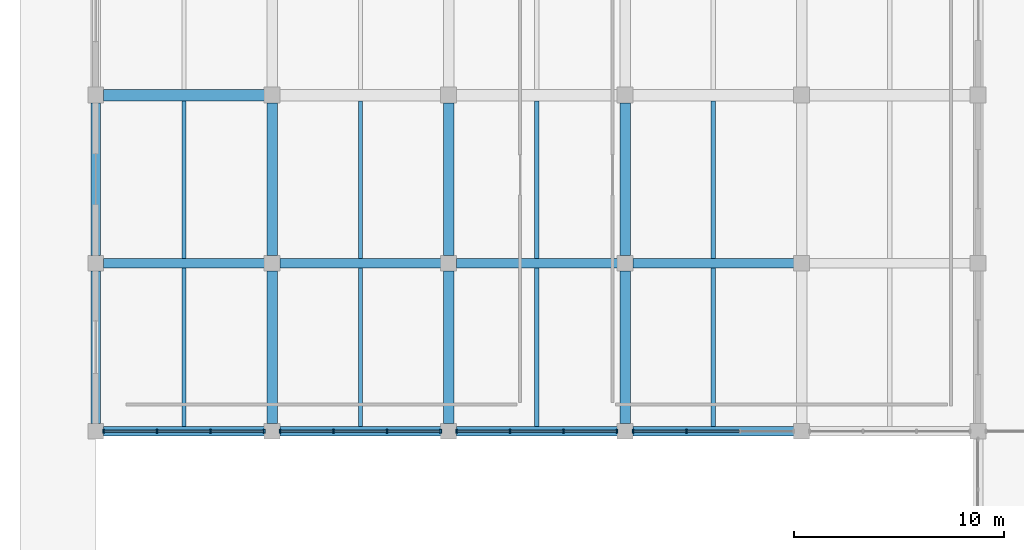
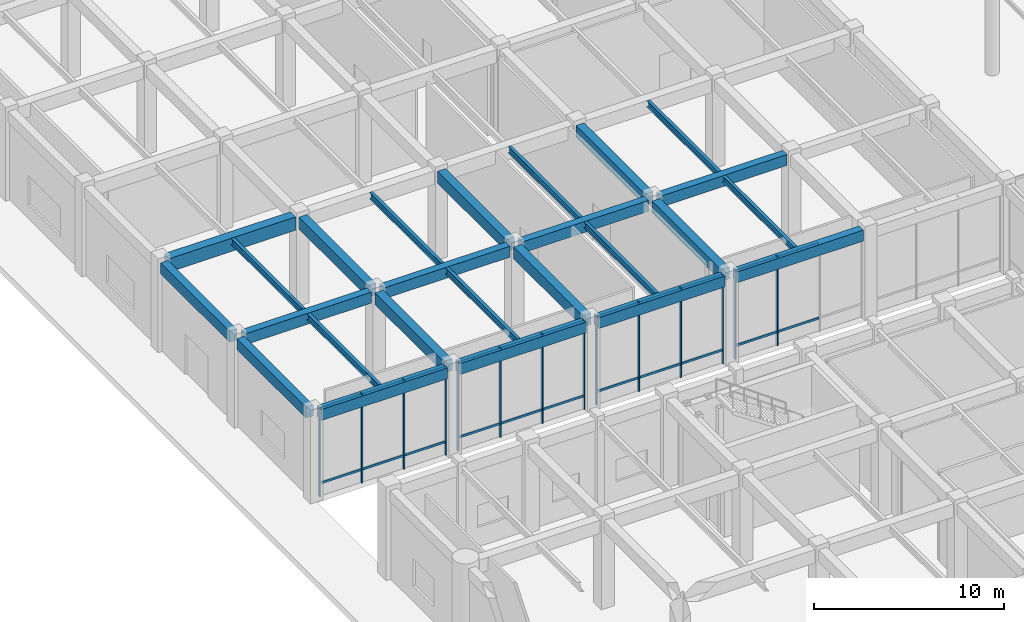
# One storey, part 28 of 76: 36 members, 25 beams, 4 elements without a shape of their own.
"""IFC4 building model written with IfcOpenShell, lengths in metres."""

from ifc_helpers import new_model, si_unit, direction, frame, origin, origin_2d, place, context, subcontext, project, spatial, rectangle, i_section, extrude, material, layer, layer_set, material_profile, profile_set, type_object, element, aggregate, save


model = new_model("IFC4")

# Units and contexts
model_context = context("Model", 3, precision=1e-05, world=origin(), true_north=direction((0.0, 1.0)))
body_context = subcontext(model_context, "Body", "Model", "MODEL_VIEW")
ifc_project = project(units=[si_unit("LENGTHUNIT", "METRE"), si_unit("AREAUNIT", "SQUARE_METRE"), si_unit("VOLUMEUNIT", "CUBIC_METRE"), si_unit("PLANEANGLEUNIT", "RADIAN"), si_unit("MASSUNIT", "GRAM", prefix="KILO")], contexts=[model_context])

# Site, building, storey
site_placement = place(None, origin())
site = spatial("IfcSite", under=ifc_project, at=site_placement, CompositionType="ELEMENT")
building_placement = place(site_placement, origin())
building = spatial("IfcBuilding", under=site, at=building_placement, Name="Naruveol Harbour Congress Hotel", CompositionType="ELEMENT")
storey_placement = place(building_placement, origin())
storey = spatial("IfcBuildingStorey", under=building, at=storey_placement, Name="L00", CompositionType="ELEMENT", Elevation=0.0)

# Beams
ifc_material_1 = material(Name="Concrete C40/50", Category="concrete")
ifc_material_profile_1 = material_profile(ifc_material_1, rectangle(XDim=0.5, YDim=0.75, at=origin_2d()), Name="RCB-500x750")
ifc_profile_set_1 = profile_set([ifc_material_profile_1], Name="Concrete C40/50")
beam_type_1 = type_object("IfcBeamType", Name="RC FLOOR GIRDER 500X750", PredefinedType="BEAM", material=ifc_profile_set_1)
for number, where, z_axis, x_axis, name in (
    (1, (8.39990234375, 64.37109375, 5.324951171875), (0.0, 1.0, 0.0), (-1.0, 0.0, 0.0), "Transverse girder L01 CB3"),
    (2, (8.39990234375, 72.37109375, 5.324951171875), (0.0, 1.0, 0.0), (-1.0, 0.0, 0.0), "Transverse girder L01 CB3"),
    (3, (16.800048828125, 64.37109375, 5.324951171875), (0.0, 1.0, 0.0), (-1.0, 0.0, 0.0), "Transverse girder L01 CB3"),
    (4, (16.800048828125, 72.37109375, 5.324951171875), (0.0, 1.0, 0.0), (-1.0, 0.0, 0.0), "Transverse girder L01 CB3"),
    (5, (25.199951171875, 64.37109375, 5.324951171875), (0.0, 1.0, 0.0), (-1.0, 0.0, 0.0), "Transverse girder L01 CB3"),
    (6, (25.199951171875, 72.37109375, 5.324951171875), (0.0, 1.0, 0.0), (-1.0, 0.0, 0.0), "Transverse girder L01 CB3"),
):
    element("IfcBeam", number, at=place(storey_placement, frame(where, z_axis=z_axis, x_axis=x_axis)), inside=storey, type_object=beam_type_1, Name=name, PredefinedType="BEAM", context=body_context, shape_type="SweptSolid", body=[
        extrude(rectangle(XDim=0.5, YDim=0.75, at=origin_2d()), origin(), (0.0, 0.0, 1.0), 7.2578125),
    ])
ifc_material_2 = material(Name="Concrete C40/50", Category="concrete")
ifc_material_profile_2 = material_profile(ifc_material_2, rectangle(XDim=0.550048828125, YDim=0.85009765625, at=origin_2d()), Name="RCB-550x850")
ifc_profile_set_2 = profile_set([ifc_material_profile_2], Name="Concrete C40/50")
beam_type_2 = type_object("IfcBeamType", Name="RC PRIMARY GIRDER 550X850", PredefinedType="BEAM", material=ifc_profile_set_2)
beam_1_placement = place(storey_placement, frame((0.37109375, 80.0, 5.27490234375), z_axis=(1.0, 0.0, 0.0), x_axis=(0.0, 1.0, 0.0)))
element("IfcBeam", 7, at=beam_1_placement, inside=storey, type_object=beam_type_2, Name="Floor girder L01 CB2", PredefinedType="BEAM", context=body_context, shape_type="SweptSolid", body=[
    extrude(rectangle(XDim=0.550048828125, YDim=0.85009765625, at=origin_2d()), origin(), (0.0, 0.0, 1.0), 7.657958984375),
])
ifc_material_3 = material(Name="Concrete C40/50", Category="concrete")
ifc_material_profile_3 = material_profile(ifc_material_3, rectangle(XDim=0.449951171875, YDim=0.699951171875, at=origin_2d()), Name="RCB-450x700")
ifc_profile_set_3 = profile_set([ifc_material_profile_3], Name="Concrete C40/50")
beam_type_3 = type_object("IfcBeamType", Name="RC SPANDREL BEAM 450X700", PredefinedType="SPANDREL", material=ifc_profile_set_3)
for number, where, z_axis, x_axis, name in (
    (8, (0.37109375, 64.0, 5.35009765625), (1.0, 0.0, 0.0), (0.0, 1.0, 0.0), "Floor girder L01 SPB1"),
    (9, (8.77099609375, 64.0, 5.35009765625), (1.0, 0.0, 0.0), (0.0, 1.0, 0.0), "Floor girder L01 SPB1"),
):
    element("IfcBeam", number, at=place(storey_placement, frame(where, z_axis=z_axis, x_axis=x_axis)), inside=storey, type_object=beam_type_3, Name=name, PredefinedType="SPANDREL", context=body_context, shape_type="SweptSolid", body=[
        extrude(rectangle(XDim=0.449951171875, YDim=0.699951171875, at=origin_2d()), origin(), (0.0, 0.0, 1.0), 7.657958984375),
    ])
beam_2_placement = place(storey_placement, frame((17.1708984375, 64.0, 5.35009765625), z_axis=(1.0, 0.0, 0.0), x_axis=(0.0, 1.0, 0.0)))
element("IfcBeam", 10, at=beam_2_placement, inside=storey, type_object=beam_type_3, Name="Floor girder L01 SPB1", PredefinedType="SPANDREL", context=body_context, shape_type="SweptSolid", body=[
    extrude(rectangle(XDim=0.449951171875, YDim=0.699951171875, at=origin_2d()), origin(), (0.0, 0.0, 1.0), 7.658203125),
])
for number, where, z_axis, x_axis, name in (
    (11, (25.571044921875, 64.0, 5.35009765625), (1.0, 0.0, 0.0), (0.0, 1.0, 0.0), "Floor girder L01 SPB1"),
    (12, (0.37109375, 72.0, 5.35009765625), (1.0, 0.0, 0.0), (0.0, 1.0, 0.0), "Floor girder L01 SPB1"),
    (13, (8.77099609375, 72.0, 5.35009765625), (1.0, 0.0, 0.0), (0.0, 1.0, 0.0), "Floor girder L01 SPB1"),
):
    element("IfcBeam", number, at=place(storey_placement, frame(where, z_axis=z_axis, x_axis=x_axis)), inside=storey, type_object=beam_type_3, Name=name, PredefinedType="SPANDREL", context=body_context, shape_type="SweptSolid", body=[
        extrude(rectangle(XDim=0.449951171875, YDim=0.699951171875, at=origin_2d()), origin(), (0.0, 0.0, 1.0), 7.657958984375),
    ])
beam_3_placement = place(storey_placement, frame((17.1708984375, 72.0, 5.35009765625), z_axis=(1.0, 0.0, 0.0), x_axis=(0.0, 1.0, 0.0)))
element("IfcBeam", 14, at=beam_3_placement, inside=storey, type_object=beam_type_3, Name="Floor girder L01 SPB1", PredefinedType="SPANDREL", context=body_context, shape_type="SweptSolid", body=[
    extrude(rectangle(XDim=0.449951171875, YDim=0.699951171875, at=origin_2d()), origin(), (0.0, 0.0, 1.0), 7.658203125),
])
beam_4_placement = place(storey_placement, frame((25.571044921875, 72.0, 5.35009765625), z_axis=(1.0, 0.0, 0.0), x_axis=(0.0, 1.0, 0.0)))
element("IfcBeam", 15, at=beam_4_placement, inside=storey, type_object=beam_type_3, Name="Floor girder L01 SPB1", PredefinedType="SPANDREL", context=body_context, shape_type="SweptSolid", body=[
    extrude(rectangle(XDim=0.449951171875, YDim=0.699951171875, at=origin_2d()), origin(), (0.0, 0.0, 1.0), 7.657958984375),
])
for number, where, z_axis, x_axis, name in (
    (16, (0.0, 64.37109375, 5.35009765625), (0.0, 1.0, 0.0), (-1.0, 0.0, 0.0), "Transverse girder L01 SPB1"),
    (17, (0.0, 72.37109375, 5.35009765625), (0.0, 1.0, 0.0), (-1.0, 0.0, 0.0), "Transverse girder L01 SPB1"),
):
    element("IfcBeam", number, at=place(storey_placement, frame(where, z_axis=z_axis, x_axis=x_axis)), inside=storey, type_object=beam_type_3, Name=name, PredefinedType="SPANDREL", context=body_context, shape_type="SweptSolid", body=[
        extrude(rectangle(XDim=0.449951171875, YDim=0.699951171875, at=origin_2d()), origin(), (0.0, 0.0, 1.0), 7.2578125),
    ])
ifc_material_4 = material(Name="Steel SN490", Category="steel")
ifc_material_profile_4 = material_profile(ifc_material_4, i_section(OverallWidth=0.199951171875, OverallDepth=0.39990234375, WebThickness=0.008056640625, FlangeThickness=0.012939453125, at=origin_2d()), Name="H-400x200x8x13")
ifc_profile_set_4 = profile_set([ifc_material_profile_4], Name="Steel SN490")
beam_type_4 = type_object("IfcBeamType", Name="STEEL SECONDARY JOIST H400", PredefinedType="JOIST", material=ifc_profile_set_4)
for number, where, z_axis, x_axis, name in (
    (18, (4.199951171875, 64.220947265625, 5.5), (0.0, 1.0, 0.0), (-1.0, 0.0, 0.0), "Secondary floor joist L01 SJ1"),
    (19, (12.60009765625, 64.220947265625, 5.5), (0.0, 1.0, 0.0), (-1.0, 0.0, 0.0), "Secondary floor joist L01 SJ1"),
    (20, (21.0, 64.220947265625, 5.5), (0.0, 1.0, 0.0), (-1.0, 0.0, 0.0), "Secondary floor joist L01 SJ1"),
    (21, (29.39990234375, 64.220947265625, 5.5), (0.0, 1.0, 0.0), (-1.0, 0.0, 0.0), "Secondary floor joist L01 SJ1"),
):
    element("IfcBeam", number, at=place(storey_placement, frame(where, z_axis=z_axis, x_axis=x_axis)), inside=storey, type_object=beam_type_4, Name=name, PredefinedType="JOIST", context=body_context, shape_type="SweptSolid", body=[
        extrude(i_section(OverallWidth=0.199951171875, OverallDepth=0.39990234375, WebThickness=0.008056640625, FlangeThickness=0.012939453125, at=origin_2d()), origin(), (0.0, 0.0, 1.0), 7.55810546875),
    ])
for number, where, z_axis, x_axis, name in (
    (22, (4.199951171875, 72.220947265625, 5.5), (0.0, 1.0, 0.0), (-1.0, 0.0, 0.0), "Secondary floor joist L01 SJ1"),
    (23, (12.60009765625, 72.220947265625, 5.5), (0.0, 1.0, 0.0), (-1.0, 0.0, 0.0), "Secondary floor joist L01 SJ1"),
    (24, (21.0, 72.220947265625, 5.5), (0.0, 1.0, 0.0), (-1.0, 0.0, 0.0), "Secondary floor joist L01 SJ1"),
    (25, (29.39990234375, 72.220947265625, 5.5), (0.0, 1.0, 0.0), (-1.0, 0.0, 0.0), "Secondary floor joist L01 SJ1"),
):
    element("IfcBeam", number, at=place(storey_placement, frame(where, z_axis=z_axis, x_axis=x_axis)), inside=storey, type_object=beam_type_4, Name=name, PredefinedType="JOIST", context=body_context, shape_type="SweptSolid", body=[
        extrude(i_section(OverallWidth=0.199951171875, OverallDepth=0.39990234375, WebThickness=0.008056640625, FlangeThickness=0.012939453125, at=origin_2d()), origin(), (0.0, 0.0, 1.0), 7.508056640625),
    ])

# Curtain wall, members
ifc_material_5 = material(Name="Low-E Curtain Wall System", Category="glass")
ifc_layer = layer(ifc_material_5, 0.179931640625)
ifc_layer_set = layer_set([ifc_layer], Name="Low-E Curtain Wall System")
curtain_wall_type = type_object("IfcCurtainWallType", Name="UNITISED CURTAIN WALL CW-V3S-12 7650X5700", PredefinedType="USERDEFINED", material=ifc_layer_set)
curtain_wall_1_placement = place(storey_placement, origin())
curtain_wall_1 = element("IfcCurtainWall", 26, at=curtain_wall_1_placement, inside=storey, type_object=curtain_wall_type, Name="Unitised curtain wall CW-V3S-12 L00", ObjectType="UNITISED GLAZING", PredefinedType="USERDEFINED")
ifc_material_6 = material(Name="Anodised Aluminium 6063-T6", Category="aluminium")
ifc_material_profile_5 = material_profile(ifc_material_6, rectangle(XDim=0.074951171875, YDim=0.179931640625, at=origin_2d()), Name="ALU-75x180")
ifc_profile_set_5 = profile_set([ifc_material_profile_5], Name="Anodised Aluminium 6063-T6")
member_type_1 = type_object("IfcMemberType", Name="THERMAL ALUMINIUM MULLION 75X180", PredefinedType="MULLION", material=ifc_profile_set_5)
member_1_placement = place(storey_placement, frame((28.125, 64.0, 0.0), z_axis=(0.0, 0.0, 1.0), x_axis=(1.0, 0.0, 0.0)))
member_1 = element("IfcMember", 27, at=member_1_placement, type_object=member_type_1, Name="Curtain wall mullion CW-L00-0014-M2", PredefinedType="MULLION", context=body_context, shape_type="SweptSolid", body=[
    extrude(rectangle(XDim=0.074951171875, YDim=0.179931640625, at=origin_2d()), origin(), (0.0, 0.0, 1.0), 5.699951171875),
])
member_2_placement = place(storey_placement, frame((25.574951171875, 64.0, 0.0), z_axis=(0.0, 0.0, 1.0), x_axis=(1.0, 0.0, 0.0)))
member_2 = element("IfcMember", 28, at=member_2_placement, type_object=member_type_1, Name="Curtain wall mullion CW-L00-0014-M3", PredefinedType="MULLION", context=body_context, shape_type="SweptSolid", body=[
    extrude(rectangle(XDim=0.074951171875, YDim=0.179931640625, at=origin_2d()), origin(), (0.0, 0.0, 1.0), 5.699951171875),
])

curtain_wall_2_placement = place(storey_placement, origin())
curtain_wall_2 = element("IfcCurtainWall", 29, at=curtain_wall_2_placement, inside=storey, type_object=curtain_wall_type, Name="Unitised curtain wall CW-V3S-12 L00", ObjectType="UNITISED GLAZING", PredefinedType="USERDEFINED")
member_3_placement = place(storey_placement, frame((24.824951171875, 64.0, 0.0), z_axis=(0.0, 0.0, 1.0), x_axis=(1.0, 0.0, 0.0)))
member_3 = element("IfcMember", 30, at=member_3_placement, type_object=member_type_1, Name="Curtain wall mullion CW-L00-0015-M0", PredefinedType="MULLION", context=body_context, shape_type="SweptSolid", body=[
    extrude(rectangle(XDim=0.074951171875, YDim=0.179931640625, at=origin_2d()), origin(), (0.0, 0.0, 1.0), 5.699951171875),
])
member_4_placement = place(storey_placement, frame((22.27490234375, 64.0, 0.0), z_axis=(0.0, 0.0, 1.0), x_axis=(1.0, 0.0, 0.0)))
member_4 = element("IfcMember", 31, at=member_4_placement, type_object=member_type_1, Name="Curtain wall mullion CW-L00-0015-M1", PredefinedType="MULLION", context=body_context, shape_type="SweptSolid", body=[
    extrude(rectangle(XDim=0.074951171875, YDim=0.179931640625, at=origin_2d()), origin(), (0.0, 0.0, 1.0), 5.699951171875),
])
member_5_placement = place(storey_placement, frame((19.72509765625, 64.0, 0.0), z_axis=(0.0, 0.0, 1.0), x_axis=(1.0, 0.0, 0.0)))
member_5 = element("IfcMember", 32, at=member_5_placement, type_object=member_type_1, Name="Curtain wall mullion CW-L00-0015-M2", PredefinedType="MULLION", context=body_context, shape_type="SweptSolid", body=[
    extrude(rectangle(XDim=0.074951171875, YDim=0.179931640625, at=origin_2d()), origin(), (0.0, 0.0, 1.0), 5.699951171875),
])
member_6_placement = place(storey_placement, frame((17.175048828125, 64.0, 0.0), z_axis=(0.0, 0.0, 1.0), x_axis=(1.0, 0.0, 0.0)))
member_6 = element("IfcMember", 33, at=member_6_placement, type_object=member_type_1, Name="Curtain wall mullion CW-L00-0015-M3", PredefinedType="MULLION", context=body_context, shape_type="SweptSolid", body=[
    extrude(rectangle(XDim=0.074951171875, YDim=0.179931640625, at=origin_2d()), origin(), (0.0, 0.0, 1.0), 5.699951171875),
])

curtain_wall_3_placement = place(storey_placement, origin())
curtain_wall_3 = element("IfcCurtainWall", 34, at=curtain_wall_3_placement, inside=storey, type_object=curtain_wall_type, Name="Unitised curtain wall CW-V3S-12 L00", ObjectType="UNITISED GLAZING", PredefinedType="USERDEFINED")
member_7_placement = place(storey_placement, frame((16.425048828125, 64.0, 0.0), z_axis=(0.0, 0.0, 1.0), x_axis=(1.0, 0.0, 0.0)))
member_7 = element("IfcMember", 35, at=member_7_placement, type_object=member_type_1, Name="Curtain wall mullion CW-L00-0016-M0", PredefinedType="MULLION", context=body_context, shape_type="SweptSolid", body=[
    extrude(rectangle(XDim=0.074951171875, YDim=0.179931640625, at=origin_2d()), origin(), (0.0, 0.0, 1.0), 5.699951171875),
])
member_8_placement = place(storey_placement, frame((13.875, 64.0, 0.0), z_axis=(0.0, 0.0, 1.0), x_axis=(1.0, 0.0, 0.0)))
member_8 = element("IfcMember", 36, at=member_8_placement, type_object=member_type_1, Name="Curtain wall mullion CW-L00-0016-M1", PredefinedType="MULLION", context=body_context, shape_type="SweptSolid", body=[
    extrude(rectangle(XDim=0.074951171875, YDim=0.179931640625, at=origin_2d()), origin(), (0.0, 0.0, 1.0), 5.699951171875),
])
member_9_placement = place(storey_placement, frame((11.324951171875, 64.0, 0.0), z_axis=(0.0, 0.0, 1.0), x_axis=(1.0, 0.0, 0.0)))
member_9 = element("IfcMember", 37, at=member_9_placement, type_object=member_type_1, Name="Curtain wall mullion CW-L00-0016-M2", PredefinedType="MULLION", context=body_context, shape_type="SweptSolid", body=[
    extrude(rectangle(XDim=0.074951171875, YDim=0.179931640625, at=origin_2d()), origin(), (0.0, 0.0, 1.0), 5.699951171875),
])
member_10_placement = place(storey_placement, frame((8.77490234375, 64.0, 0.0), z_axis=(0.0, 0.0, 1.0), x_axis=(1.0, 0.0, 0.0)))
member_10 = element("IfcMember", 38, at=member_10_placement, type_object=member_type_1, Name="Curtain wall mullion CW-L00-0016-M3", PredefinedType="MULLION", context=body_context, shape_type="SweptSolid", body=[
    extrude(rectangle(XDim=0.074951171875, YDim=0.179931640625, at=origin_2d()), origin(), (0.0, 0.0, 1.0), 5.699951171875),
])

curtain_wall_4_placement = place(storey_placement, origin())
curtain_wall_4 = element("IfcCurtainWall", 39, at=curtain_wall_4_placement, inside=storey, type_object=curtain_wall_type, Name="Unitised curtain wall CW-V3S-12 L00", ObjectType="UNITISED GLAZING", PredefinedType="USERDEFINED")
member_11_placement = place(storey_placement, frame((8.02490234375, 64.0, 0.0), z_axis=(0.0, 0.0, 1.0), x_axis=(1.0, 0.0, 0.0)))
member_11 = element("IfcMember", 40, at=member_11_placement, type_object=member_type_1, Name="Curtain wall mullion CW-L00-0017-M0", PredefinedType="MULLION", context=body_context, shape_type="SweptSolid", body=[
    extrude(rectangle(XDim=0.074951171875, YDim=0.179931640625, at=origin_2d()), origin(), (0.0, 0.0, 1.0), 5.699951171875),
])
member_12_placement = place(storey_placement, frame((5.47509765625, 64.0, 0.0), z_axis=(0.0, 0.0, 1.0), x_axis=(1.0, 0.0, 0.0)))
member_12 = element("IfcMember", 41, at=member_12_placement, type_object=member_type_1, Name="Curtain wall mullion CW-L00-0017-M1", PredefinedType="MULLION", context=body_context, shape_type="SweptSolid", body=[
    extrude(rectangle(XDim=0.074951171875, YDim=0.179931640625, at=origin_2d()), origin(), (0.0, 0.0, 1.0), 5.699951171875),
])
member_13_placement = place(storey_placement, frame((2.925048828125, 64.0, 0.0), z_axis=(0.0, 0.0, 1.0), x_axis=(1.0, 0.0, 0.0)))
member_13 = element("IfcMember", 42, at=member_13_placement, type_object=member_type_1, Name="Curtain wall mullion CW-L00-0017-M2", PredefinedType="MULLION", context=body_context, shape_type="SweptSolid", body=[
    extrude(rectangle(XDim=0.074951171875, YDim=0.179931640625, at=origin_2d()), origin(), (0.0, 0.0, 1.0), 5.699951171875),
])
member_14_placement = place(storey_placement, frame((0.375, 64.0, 0.0), z_axis=(0.0, 0.0, 1.0), x_axis=(1.0, 0.0, 0.0)))
member_14 = element("IfcMember", 43, at=member_14_placement, type_object=member_type_1, Name="Curtain wall mullion CW-L00-0017-M3", PredefinedType="MULLION", context=body_context, shape_type="SweptSolid", body=[
    extrude(rectangle(XDim=0.074951171875, YDim=0.179931640625, at=origin_2d()), origin(), (0.0, 0.0, 1.0), 5.699951171875),
])

# Member
ifc_material_7 = material(Name="Anodised Aluminium 6063-T6", Category="aluminium")
ifc_material_profile_6 = material_profile(ifc_material_7, rectangle(XDim=0.074951171875, YDim=0.14990234375, at=origin_2d()), Name="ALU-75x150")
ifc_profile_set_6 = profile_set([ifc_material_profile_6], Name="Anodised Aluminium 6063-T6")
member_type_2 = type_object("IfcMemberType", Name="THERMAL ALUMINIUM TRANSOM 75X150", PredefinedType="USERDEFINED", material=ifc_profile_set_6)
member_15_placement = place(storey_placement, frame((30.635009765625, 64.0, 0.85009765625), z_axis=(-1.0, 0.0, 0.0), x_axis=(0.0, -1.0, 0.0)))
member_15 = element("IfcMember", 44, at=member_15_placement, type_object=member_type_2, Name="Curtain wall transom CW-L00-0014-T1.1", ObjectType="TRANSOM", PredefinedType="USERDEFINED", context=body_context, shape_type="SweptSolid", body=[
    extrude(rectangle(XDim=0.074951171875, YDim=0.14990234375, at=origin_2d()), origin(), (0.0, 0.0, 1.0), 2.469970703125),
])

member_16_placement = place(storey_placement, frame((30.635009765625, 64.0, 5.6201171875), z_axis=(-1.0, 0.0, 0.0), x_axis=(0.0, -1.0, 0.0)))
member_16 = element("IfcMember", 45, at=member_16_placement, type_object=member_type_2, Name="Curtain wall transom CW-L00-0014-T1.2", ObjectType="TRANSOM", PredefinedType="USERDEFINED", context=body_context, shape_type="SweptSolid", body=[
    extrude(rectangle(XDim=0.074951171875, YDim=0.14990234375, at=origin_2d()), origin(), (0.0, 0.0, 1.0), 2.469970703125),
])

member_17_placement = place(storey_placement, frame((28.0849609375, 64.0, 0.85009765625), z_axis=(-1.0, 0.0, 0.0), x_axis=(0.0, -1.0, 0.0)))
member_17 = element("IfcMember", 46, at=member_17_placement, type_object=member_type_2, Name="Curtain wall transom CW-L00-0014-T2.1", ObjectType="TRANSOM", PredefinedType="USERDEFINED", context=body_context, shape_type="SweptSolid", body=[
    extrude(rectangle(XDim=0.074951171875, YDim=0.14990234375, at=origin_2d()), origin(), (0.0, 0.0, 1.0), 2.469970703125),
])

member_18_placement = place(storey_placement, frame((28.0849609375, 64.0, 5.6201171875), z_axis=(-1.0, 0.0, 0.0), x_axis=(0.0, -1.0, 0.0)))
member_18 = element("IfcMember", 47, at=member_18_placement, type_object=member_type_2, Name="Curtain wall transom CW-L00-0014-T2.2", ObjectType="TRANSOM", PredefinedType="USERDEFINED", context=body_context, shape_type="SweptSolid", body=[
    extrude(rectangle(XDim=0.074951171875, YDim=0.14990234375, at=origin_2d()), origin(), (0.0, 0.0, 1.0), 2.469970703125),
])

aggregate(curtain_wall_1, [member_1, member_2, member_15, member_16, member_17, member_18])

member_19_placement = place(storey_placement, frame((24.784912109375, 64.0, 0.85009765625), z_axis=(-1.0, 0.0, 0.0), x_axis=(0.0, -1.0, 0.0)))
member_19 = element("IfcMember", 48, at=member_19_placement, type_object=member_type_2, Name="Curtain wall transom CW-L00-0015-T0.1", ObjectType="TRANSOM", PredefinedType="USERDEFINED", context=body_context, shape_type="SweptSolid", body=[
    extrude(rectangle(XDim=0.074951171875, YDim=0.14990234375, at=origin_2d()), origin(), (0.0, 0.0, 1.0), 2.469970703125),
])

member_20_placement = place(storey_placement, frame((24.784912109375, 64.0, 5.6201171875), z_axis=(-1.0, 0.0, 0.0), x_axis=(0.0, -1.0, 0.0)))
member_20 = element("IfcMember", 49, at=member_20_placement, type_object=member_type_2, Name="Curtain wall transom CW-L00-0015-T0.2", ObjectType="TRANSOM", PredefinedType="USERDEFINED", context=body_context, shape_type="SweptSolid", body=[
    extrude(rectangle(XDim=0.074951171875, YDim=0.14990234375, at=origin_2d()), origin(), (0.0, 0.0, 1.0), 2.469970703125),
])

member_21_placement = place(storey_placement, frame((22.235107421875, 64.0, 0.85009765625), z_axis=(-1.0, 0.0, 0.0), x_axis=(0.0, -1.0, 0.0)))
member_21 = element("IfcMember", 50, at=member_21_placement, type_object=member_type_2, Name="Curtain wall transom CW-L00-0015-T1.1", ObjectType="TRANSOM", PredefinedType="USERDEFINED", context=body_context, shape_type="SweptSolid", body=[
    extrude(rectangle(XDim=0.074951171875, YDim=0.14990234375, at=origin_2d()), origin(), (0.0, 0.0, 1.0), 2.47021484375),
])

member_22_placement = place(storey_placement, frame((22.235107421875, 64.0, 5.6201171875), z_axis=(-1.0, 0.0, 0.0), x_axis=(0.0, -1.0, 0.0)))
member_22 = element("IfcMember", 51, at=member_22_placement, type_object=member_type_2, Name="Curtain wall transom CW-L00-0015-T1.2", ObjectType="TRANSOM", PredefinedType="USERDEFINED", context=body_context, shape_type="SweptSolid", body=[
    extrude(rectangle(XDim=0.074951171875, YDim=0.14990234375, at=origin_2d()), origin(), (0.0, 0.0, 1.0), 2.47021484375),
])

member_23_placement = place(storey_placement, frame((19.68505859375, 64.0, 0.85009765625), z_axis=(-1.0, 0.0, 0.0), x_axis=(0.0, -1.0, 0.0)))
member_23 = element("IfcMember", 52, at=member_23_placement, type_object=member_type_2, Name="Curtain wall transom CW-L00-0015-T2.1", ObjectType="TRANSOM", PredefinedType="USERDEFINED", context=body_context, shape_type="SweptSolid", body=[
    extrude(rectangle(XDim=0.074951171875, YDim=0.14990234375, at=origin_2d()), origin(), (0.0, 0.0, 1.0), 2.469970703125),
])

member_24_placement = place(storey_placement, frame((19.68505859375, 64.0, 5.6201171875), z_axis=(-1.0, 0.0, 0.0), x_axis=(0.0, -1.0, 0.0)))
member_24 = element("IfcMember", 53, at=member_24_placement, type_object=member_type_2, Name="Curtain wall transom CW-L00-0015-T2.2", ObjectType="TRANSOM", PredefinedType="USERDEFINED", context=body_context, shape_type="SweptSolid", body=[
    extrude(rectangle(XDim=0.074951171875, YDim=0.14990234375, at=origin_2d()), origin(), (0.0, 0.0, 1.0), 2.469970703125),
])

aggregate(curtain_wall_2, [member_3, member_4, member_5, member_6, member_19, member_20, member_21, member_22, member_23, member_24])

member_25_placement = place(storey_placement, frame((16.385009765625, 64.0, 0.85009765625), z_axis=(-1.0, 0.0, 0.0), x_axis=(0.0, -1.0, 0.0)))
member_25 = element("IfcMember", 54, at=member_25_placement, type_object=member_type_2, Name="Curtain wall transom CW-L00-0016-T0.1", ObjectType="TRANSOM", PredefinedType="USERDEFINED", context=body_context, shape_type="SweptSolid", body=[
    extrude(rectangle(XDim=0.074951171875, YDim=0.14990234375, at=origin_2d()), origin(), (0.0, 0.0, 1.0), 2.469970703125),
])

member_26_placement = place(storey_placement, frame((16.385009765625, 64.0, 5.6201171875), z_axis=(-1.0, 0.0, 0.0), x_axis=(0.0, -1.0, 0.0)))
member_26 = element("IfcMember", 55, at=member_26_placement, type_object=member_type_2, Name="Curtain wall transom CW-L00-0016-T0.2", ObjectType="TRANSOM", PredefinedType="USERDEFINED", context=body_context, shape_type="SweptSolid", body=[
    extrude(rectangle(XDim=0.074951171875, YDim=0.14990234375, at=origin_2d()), origin(), (0.0, 0.0, 1.0), 2.469970703125),
])

member_27_placement = place(storey_placement, frame((13.8349609375, 64.0, 0.85009765625), z_axis=(-1.0, 0.0, 0.0), x_axis=(0.0, -1.0, 0.0)))
member_27 = element("IfcMember", 56, at=member_27_placement, type_object=member_type_2, Name="Curtain wall transom CW-L00-0016-T1.1", ObjectType="TRANSOM", PredefinedType="USERDEFINED", context=body_context, shape_type="SweptSolid", body=[
    extrude(rectangle(XDim=0.074951171875, YDim=0.14990234375, at=origin_2d()), origin(), (0.0, 0.0, 1.0), 2.469970703125),
])

member_28_placement = place(storey_placement, frame((13.8349609375, 64.0, 5.6201171875), z_axis=(-1.0, 0.0, 0.0), x_axis=(0.0, -1.0, 0.0)))
member_28 = element("IfcMember", 57, at=member_28_placement, type_object=member_type_2, Name="Curtain wall transom CW-L00-0016-T1.2", ObjectType="TRANSOM", PredefinedType="USERDEFINED", context=body_context, shape_type="SweptSolid", body=[
    extrude(rectangle(XDim=0.074951171875, YDim=0.14990234375, at=origin_2d()), origin(), (0.0, 0.0, 1.0), 2.469970703125),
])

member_29_placement = place(storey_placement, frame((11.284912109375, 64.0, 0.85009765625), z_axis=(-1.0, 0.0, 0.0), x_axis=(0.0, -1.0, 0.0)))
member_29 = element("IfcMember", 58, at=member_29_placement, type_object=member_type_2, Name="Curtain wall transom CW-L00-0016-T2.1", ObjectType="TRANSOM", PredefinedType="USERDEFINED", context=body_context, shape_type="SweptSolid", body=[
    extrude(rectangle(XDim=0.074951171875, YDim=0.14990234375, at=origin_2d()), origin(), (0.0, 0.0, 1.0), 2.469970703125),
])

member_30_placement = place(storey_placement, frame((11.284912109375, 64.0, 5.6201171875), z_axis=(-1.0, 0.0, 0.0), x_axis=(0.0, -1.0, 0.0)))
member_30 = element("IfcMember", 59, at=member_30_placement, type_object=member_type_2, Name="Curtain wall transom CW-L00-0016-T2.2", ObjectType="TRANSOM", PredefinedType="USERDEFINED", context=body_context, shape_type="SweptSolid", body=[
    extrude(rectangle(XDim=0.074951171875, YDim=0.14990234375, at=origin_2d()), origin(), (0.0, 0.0, 1.0), 2.469970703125),
])

aggregate(curtain_wall_3, [member_7, member_8, member_9, member_10, member_25, member_26, member_27, member_28, member_29, member_30])

member_31_placement = place(storey_placement, frame((7.985107421875, 64.0, 0.85009765625), z_axis=(-1.0, 0.0, 0.0), x_axis=(0.0, -1.0, 0.0)))
member_31 = element("IfcMember", 60, at=member_31_placement, type_object=member_type_2, Name="Curtain wall transom CW-L00-0017-T0.1", ObjectType="TRANSOM", PredefinedType="USERDEFINED", context=body_context, shape_type="SweptSolid", body=[
    extrude(rectangle(XDim=0.074951171875, YDim=0.14990234375, at=origin_2d()), origin(), (0.0, 0.0, 1.0), 2.47021484375),
])

member_32_placement = place(storey_placement, frame((7.985107421875, 64.0, 5.6201171875), z_axis=(-1.0, 0.0, 0.0), x_axis=(0.0, -1.0, 0.0)))
member_32 = element("IfcMember", 61, at=member_32_placement, type_object=member_type_2, Name="Curtain wall transom CW-L00-0017-T0.2", ObjectType="TRANSOM", PredefinedType="USERDEFINED", context=body_context, shape_type="SweptSolid", body=[
    extrude(rectangle(XDim=0.074951171875, YDim=0.14990234375, at=origin_2d()), origin(), (0.0, 0.0, 1.0), 2.47021484375),
])

member_33_placement = place(storey_placement, frame((5.43505859375, 64.0, 0.85009765625), z_axis=(-1.0, 0.0, 0.0), x_axis=(0.0, -1.0, 0.0)))
member_33 = element("IfcMember", 62, at=member_33_placement, type_object=member_type_2, Name="Curtain wall transom CW-L00-0017-T1.1", ObjectType="TRANSOM", PredefinedType="USERDEFINED", context=body_context, shape_type="SweptSolid", body=[
    extrude(rectangle(XDim=0.074951171875, YDim=0.14990234375, at=origin_2d()), origin(), (0.0, 0.0, 1.0), 2.469970703125),
])

member_34_placement = place(storey_placement, frame((5.43505859375, 64.0, 5.6201171875), z_axis=(-1.0, 0.0, 0.0), x_axis=(0.0, -1.0, 0.0)))
member_34 = element("IfcMember", 63, at=member_34_placement, type_object=member_type_2, Name="Curtain wall transom CW-L00-0017-T1.2", ObjectType="TRANSOM", PredefinedType="USERDEFINED", context=body_context, shape_type="SweptSolid", body=[
    extrude(rectangle(XDim=0.074951171875, YDim=0.14990234375, at=origin_2d()), origin(), (0.0, 0.0, 1.0), 2.469970703125),
])

member_35_placement = place(storey_placement, frame((2.885009765625, 64.0, 0.85009765625), z_axis=(-1.0, 0.0, 0.0), x_axis=(0.0, -1.0, 0.0)))
member_35 = element("IfcMember", 64, at=member_35_placement, type_object=member_type_2, Name="Curtain wall transom CW-L00-0017-T2.1", ObjectType="TRANSOM", PredefinedType="USERDEFINED", context=body_context, shape_type="SweptSolid", body=[
    extrude(rectangle(XDim=0.074951171875, YDim=0.14990234375, at=origin_2d()), origin(), (0.0, 0.0, 1.0), 2.469970703125),
])

member_36_placement = place(storey_placement, frame((2.885009765625, 64.0, 5.6201171875), z_axis=(-1.0, 0.0, 0.0), x_axis=(0.0, -1.0, 0.0)))
member_36 = element("IfcMember", 65, at=member_36_placement, type_object=member_type_2, Name="Curtain wall transom CW-L00-0017-T2.2", ObjectType="TRANSOM", PredefinedType="USERDEFINED", context=body_context, shape_type="SweptSolid", body=[
    extrude(rectangle(XDim=0.074951171875, YDim=0.14990234375, at=origin_2d()), origin(), (0.0, 0.0, 1.0), 2.469970703125),
])

aggregate(curtain_wall_4, [member_11, member_12, member_13, member_14, member_31, member_32, member_33, member_34, member_35, member_36])

save(model, "model.ifc")
